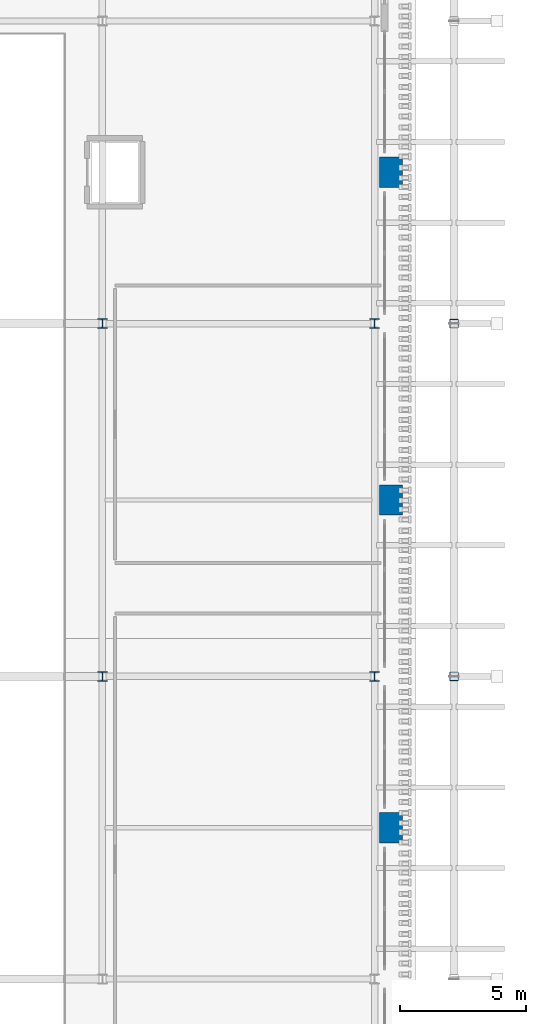
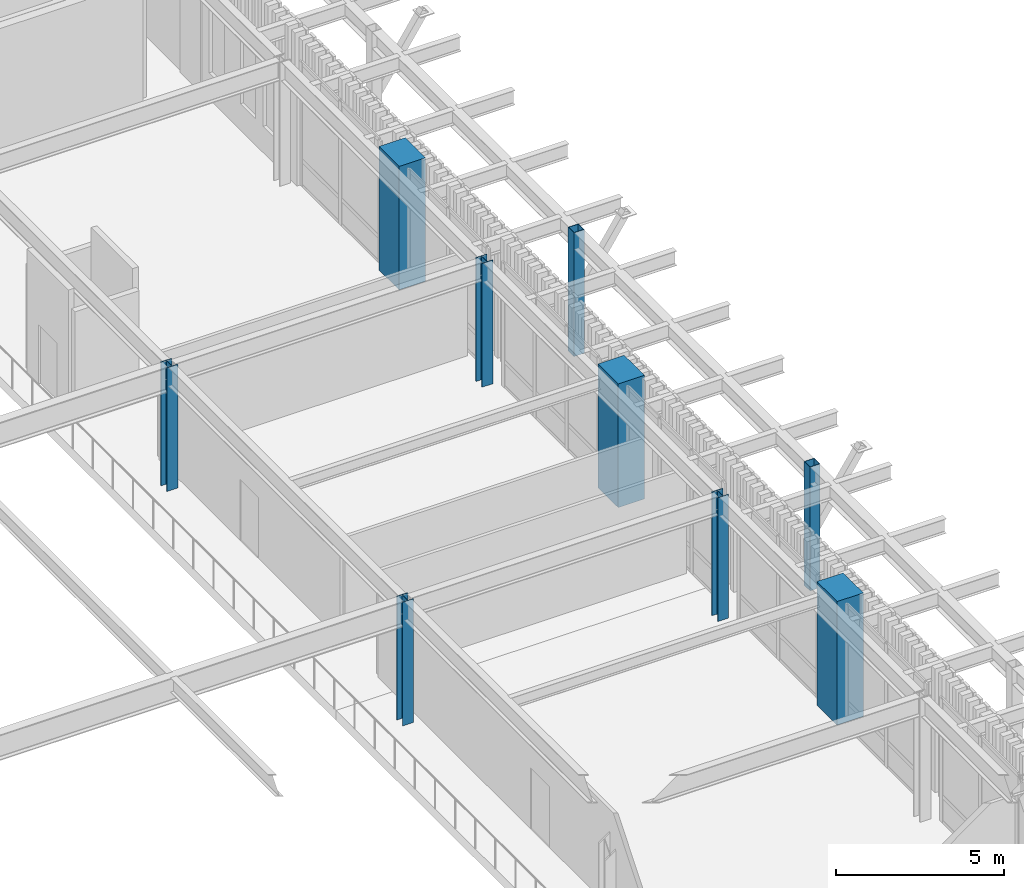
# One storey, part 7 of 126: 9 columns.
"""IFC4 building model written with IfcOpenShell, lengths in metres."""

from ifc_helpers import new_model, si_unit, derived_unit, direction, frame, origin, origin_2d, place, context, subcontext, project, spatial, rectangle, hollow_rectangle, i_section, extrude, material, material_profile, profile_set, type_object, element, save


model = new_model("IFC4")

# Units and contexts
model_context = context("Model", 3, precision=1e-05, world=origin(), true_north=direction((0.0, 1.0)))
body_context = subcontext(model_context, "Body", "Model", "MODEL_VIEW")
ifc_project = project(units=[si_unit("LENGTHUNIT", "METRE"), si_unit("AREAUNIT", "SQUARE_METRE"), si_unit("VOLUMEUNIT", "CUBIC_METRE"), si_unit("PLANEANGLEUNIT", "RADIAN"), si_unit("MASSUNIT", "GRAM", prefix="KILO"), derived_unit("THERMALTRANSMITTANCEUNIT", [(si_unit("MASSUNIT", "GRAM", prefix="KILO"), 1), (si_unit("TIMEUNIT", "SECOND"), -3), (si_unit("THERMODYNAMICTEMPERATUREUNIT", "KELVIN"), -1)])], contexts=[model_context])

# Site, building, storey
site_placement = place(None, origin())
site = spatial("IfcSite", under=ifc_project, at=site_placement, CompositionType="ELEMENT")
building_placement = place(site_placement, origin())
building = spatial("IfcBuilding", under=site, at=building_placement, Name="Valcora Ridge Arena", CompositionType="ELEMENT")
storey_placement = place(building_placement, frame((0.0, 0.0, 11.39990234375)))
storey = spatial("IfcBuildingStorey", under=building, at=storey_placement, Name="L02", CompositionType="ELEMENT", Elevation=11.39990234375)

# Columns
ifc_material_1 = material(Name="Bush-hammered Andean travertine architectural concrete C45/55", Category="masonry")
ifc_material_profile_1 = material_profile(ifc_material_1, rectangle(XDim=0.89990234375, YDim=1.199951171875, at=origin_2d()), Name="RC 900x1200")
ifc_profile_set_1 = profile_set([ifc_material_profile_1], Name="Bush-hammered Andean travertine architectural concrete C45/55")
column_type_1 = type_object("IfcColumnType", Name="TY-COLUMN-C-BUTT-1200", PredefinedType="PILASTER", material=ifc_profile_set_1)
for number, where, z_axis, x_axis, name in (
    (1, (187.449951171875, 34.0, 0.0), (0.0, 0.0, 1.0), (1.0, 0.0, 0.0), "C-BUTT-1200 COL-C-BUTT-1200-0379"),
    (2, (187.449951171875, 47.0, 0.0), (0.0, 0.0, 1.0), (1.0, 0.0, 0.0), "C-BUTT-1200 COL-C-BUTT-1200-0382"),
    (3, (187.449951171875, 60.0, 0.0), (0.0, 0.0, 1.0), (1.0, 0.0, 0.0), "C-BUTT-1200 COL-C-BUTT-1200-0385"),
):
    element("IfcColumn", number, at=place(storey_placement, frame(where, z_axis=z_axis, x_axis=x_axis)), inside=storey, type_object=column_type_1, Name=name, PredefinedType="PILASTER", context=body_context, shape_type="SweptSolid", body=[
        extrude(rectangle(XDim=0.89990234375, YDim=1.199951171875, at=origin_2d()), origin(), (0.0, 0.0, 1.0), 4.47998046875),
    ])
ifc_material_2 = material(Name="Steel ASTM A500 Grade C", Category="steel")
ifc_material_profile_2 = material_profile(ifc_material_2, hollow_rectangle(XDim=0.35009765625, YDim=0.35009765625, WallThickness=0.01611328125, at=origin_2d()), Name="HSS350X350X16")
ifc_profile_set_2 = profile_set([ifc_material_profile_2], Name="Steel ASTM A500 Grade C")
column_type_2 = type_object("IfcColumnType", Name="TY-COLUMN-C-COL350", PredefinedType="COLUMN", material=ifc_profile_set_2)
for number, where, z_axis, x_axis, name in (
    (4, (189.949951171875, 40.0, 0.0), (0.0, 0.0, 1.0), (1.0, 0.0, 0.0), "C-COL350 COL-C-COL350-0033"),
    (5, (189.949951171875, 54.0, 0.0), (0.0, 0.0, 1.0), (1.0, 0.0, 0.0), "C-COL350 COL-C-COL350-0036"),
):
    element("IfcColumn", number, at=place(storey_placement, frame(where, z_axis=z_axis, x_axis=x_axis)), inside=storey, type_object=column_type_2, Name=name, PredefinedType="COLUMN", context=body_context, shape_type="SweptSolid", body=[
        extrude(hollow_rectangle(XDim=0.35009765625, YDim=0.35009765625, WallThickness=0.01611328125, at=origin_2d()), origin(), (0.0, 0.0, 1.0), 4.47998046875),
    ])
ifc_material_3 = material(Name="Steel ASTM A572 Grade 50", Category="steel")
ifc_material_profile_3 = material_profile(ifc_material_3, i_section(OverallWidth=0.3740234375, OverallDepth=0.373046875, WebThickness=0.016357421875, FlangeThickness=0.026123046875, FilletRadius=0.01806640625, at=origin_2d()), Name="W14X132")
ifc_profile_set_3 = profile_set([ifc_material_profile_3], Name="Steel ASTM A572 Grade 50")
column_type_3 = type_object("IfcColumnType", Name="TY-COLUMN-C-STL14B", PredefinedType="COLUMN", material=ifc_profile_set_3)
for number, where, z_axis, x_axis, name in (
    (6, (176.0, 40.0, 0.0), (0.0, 0.0, 1.0), (1.0, 0.0, 0.0), "C-STL14B COL-C-STL14B-0050"),
    (7, (176.0, 54.0, 0.0), (0.0, 0.0, 1.0), (1.0, 0.0, 0.0), "C-STL14B COL-C-STL14B-0052"),
    (8, (186.800048828125, 40.0, 0.0), (0.0, 0.0, 1.0), (1.0, 0.0, 0.0), "C-STL14B COL-C-STL14B-0064"),
    (9, (186.800048828125, 54.0, 0.0), (0.0, 0.0, 1.0), (1.0, 0.0, 0.0), "C-STL14B COL-C-STL14B-0066"),
):
    element("IfcColumn", number, at=place(storey_placement, frame(where, z_axis=z_axis, x_axis=x_axis)), inside=storey, type_object=column_type_3, Name=name, PredefinedType="COLUMN", context=body_context, shape_type="SweptSolid", body=[
        extrude(i_section(OverallWidth=0.3740234375, OverallDepth=0.373046875, WebThickness=0.016357421875, FlangeThickness=0.026123046875, FilletRadius=0.01806640625, at=origin_2d()), origin(), (0.0, 0.0, 1.0), 4.47998046875),
    ])

save(model, "model.ifc")
